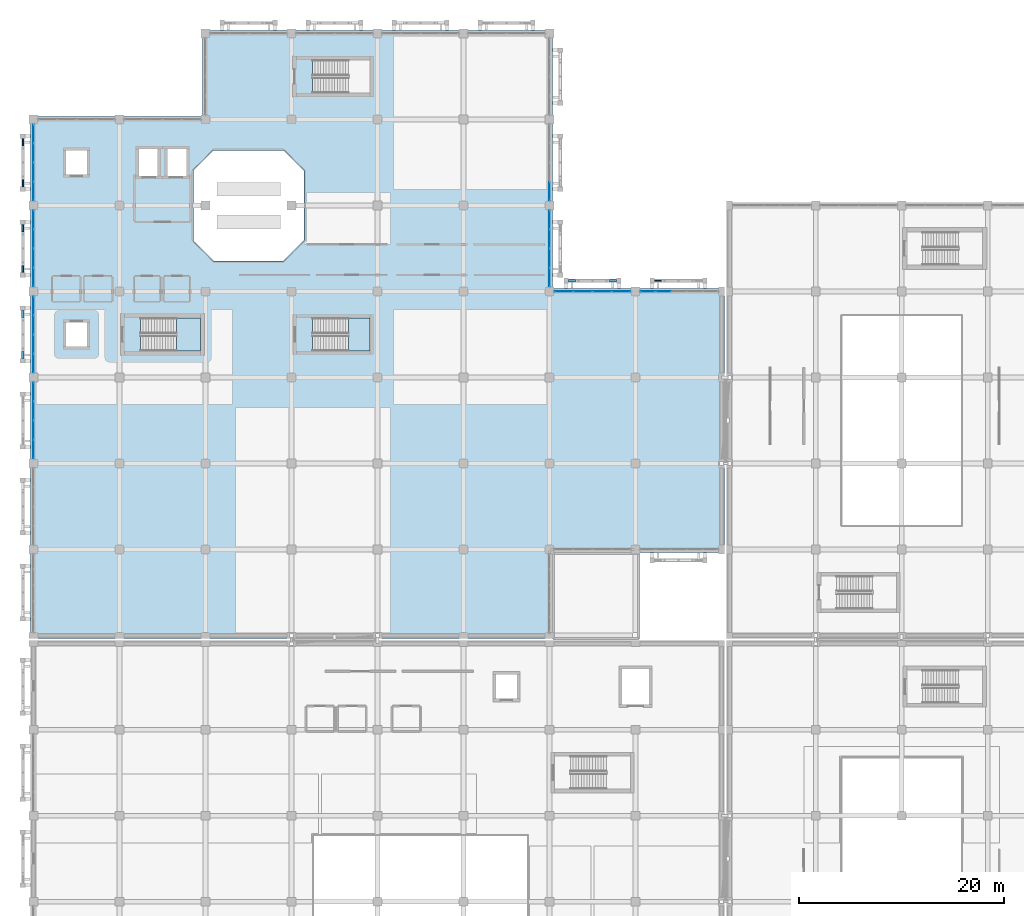
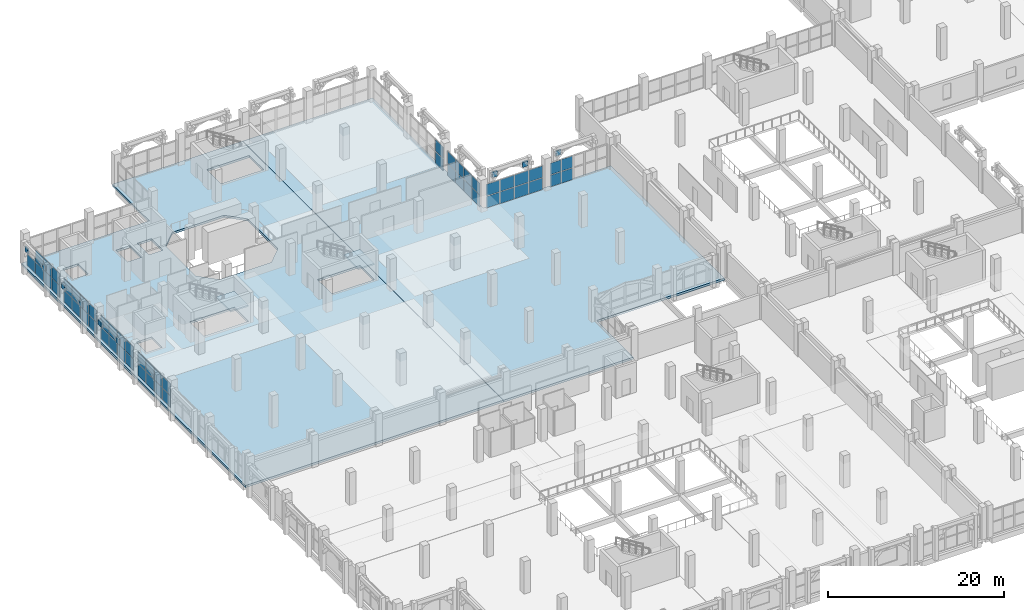
# One storey, part 101 of 137: 62 plates, 4 slabs, 10 elements without a shape of their own.
"""IFC4 building model written with IfcOpenShell, lengths in metres."""

from ifc_helpers import new_model, si_unit, direction, frame, origin, origin_2d, place, context, subcontext, project, spatial, polyline, rectangle, outline, extrude, material, layer, layer_set, type_object, element, aggregate, save


model = new_model("IFC4")

# Units and contexts
model_context = context("Model", 3, precision=1e-05, world=origin(), true_north=direction((0.0, 1.0)))
body_context = subcontext(model_context, "Body", "Model", "MODEL_VIEW")
ifc_project = project(units=[si_unit("LENGTHUNIT", "METRE"), si_unit("AREAUNIT", "SQUARE_METRE"), si_unit("VOLUMEUNIT", "CUBIC_METRE"), si_unit("PLANEANGLEUNIT", "RADIAN"), si_unit("MASSUNIT", "GRAM", prefix="KILO")], contexts=[model_context])

# Site, building, storey
site_placement = place(None, origin())
site = spatial("IfcSite", under=ifc_project, at=site_placement, CompositionType="ELEMENT")
building_placement = place(site_placement, origin())
building = spatial("IfcBuilding", under=site, at=building_placement, Name="Xazarin Passage Department Store", CompositionType="ELEMENT")
storey_placement = place(building_placement, frame((0.0, 0.0, 5.39990234375)))
storey = spatial("IfcBuildingStorey", under=building, at=storey_placement, Name="L01", CompositionType="ELEMENT", Elevation=5.39990234375)

# Curtain wall, plates
ifc_material_1 = material(Name="Bronze anodised aluminium", Category="aluminium")
ifc_layer_1 = layer(ifc_material_1, 0.179931640625)
ifc_layer_set_1 = layer_set([ifc_layer_1], Name="Bronze anodised aluminium")
curtain_wall_type = type_object("IfcCurtainWallType", Name="ARC-CW-VIT1", PredefinedType="NOTDEFINED", material=ifc_layer_set_1)
curtain_wall_1_placement = place(storey_placement, origin())
curtain_wall_1 = element("IfcCurtainWall", 1, at=curtain_wall_1_placement, inside=storey, type_object=curtain_wall_type, Name="L01 V1 Curtain Wall 010", PredefinedType="NOTDEFINED")
ifc_material_2 = material(Name="Low-E laminated safety glass", Category="glass")
ifc_layer_2 = layer(ifc_material_2, 0.031982421875)
ifc_layer_set_2 = layer_set([ifc_layer_2], Name="Low-E laminated safety glass")
plate_type_1 = type_object("IfcPlateType", Name="ARC-CWP-GLZ32", PredefinedType="CURTAIN_PANEL", material=ifc_layer_set_2)
plate_1_placement = place(storey_placement, frame((51.78759765625, 84.800048828125, 0.0751953125), z_axis=(0.0, 0.0, 1.0), x_axis=(1.0, 0.0, 0.0)))
plate_1 = element("IfcPlate", 2, at=plate_1_placement, type_object=plate_type_1, Name="CW1 panel 1.1", PredefinedType="CURTAIN_PANEL", context=body_context, shape_type="SweptSolid", body=[
    extrude(rectangle(XDim=1.77490234375, YDim=0.031982421875, at=origin_2d()), origin(), (0.0, 0.0, 1.0), 1.612548828125),
])
plate_2_placement = place(storey_placement, frame((51.78759765625, 84.800048828125, 1.7626953125), z_axis=(0.0, 0.0, 1.0), x_axis=(1.0, 0.0, 0.0)))
plate_2 = element("IfcPlate", 3, at=plate_2_placement, type_object=plate_type_1, Name="CW1 panel 1.2", PredefinedType="CURTAIN_PANEL", context=body_context, shape_type="SweptSolid", body=[
    extrude(rectangle(XDim=1.77490234375, YDim=0.031982421875, at=origin_2d()), origin(), (0.0, 0.0, 1.0), 1.612548828125),
])
plate_3_placement = place(storey_placement, frame((53.65625, 84.800048828125, 0.0751953125), z_axis=(0.0, 0.0, 1.0), x_axis=(1.0, 0.0, 0.0)))
plate_3 = element("IfcPlate", 4, at=plate_3_placement, type_object=plate_type_1, Name="CW1 panel 2.1", PredefinedType="CURTAIN_PANEL", context=body_context, shape_type="SweptSolid", body=[
    extrude(rectangle(XDim=1.8125, YDim=0.031982421875, at=origin_2d()), origin(), (0.0, 0.0, 1.0), 1.612548828125),
])
plate_4_placement = place(storey_placement, frame((53.65625, 84.800048828125, 1.7626953125), z_axis=(0.0, 0.0, 1.0), x_axis=(1.0, 0.0, 0.0)))
plate_4 = element("IfcPlate", 5, at=plate_4_placement, type_object=plate_type_1, Name="CW1 panel 2.2", PredefinedType="CURTAIN_PANEL", context=body_context, shape_type="SweptSolid", body=[
    extrude(rectangle(XDim=1.8125, YDim=0.031982421875, at=origin_2d()), origin(), (0.0, 0.0, 1.0), 1.612548828125),
])
plate_5_placement = place(storey_placement, frame((55.543701171875, 84.800048828125, 0.0751953125), z_axis=(0.0, 0.0, 1.0), x_axis=(1.0, 0.0, 0.0)))
plate_5 = element("IfcPlate", 6, at=plate_5_placement, type_object=plate_type_1, Name="CW1 panel 3.1", PredefinedType="CURTAIN_PANEL", context=body_context, shape_type="SweptSolid", body=[
    extrude(rectangle(XDim=1.8125, YDim=0.031982421875, at=origin_2d()), origin(), (0.0, 0.0, 1.0), 1.612548828125),
])
plate_6_placement = place(storey_placement, frame((55.543701171875, 84.800048828125, 1.7626953125), z_axis=(0.0, 0.0, 1.0), x_axis=(1.0, 0.0, 0.0)))
plate_6 = element("IfcPlate", 7, at=plate_6_placement, type_object=plate_type_1, Name="CW1 panel 3.2", PredefinedType="CURTAIN_PANEL", context=body_context, shape_type="SweptSolid", body=[
    extrude(rectangle(XDim=1.8125, YDim=0.031982421875, at=origin_2d()), origin(), (0.0, 0.0, 1.0), 1.612548828125),
])
plate_7_placement = place(storey_placement, frame((57.41259765625, 84.800048828125, 0.0751953125), z_axis=(0.0, 0.0, 1.0), x_axis=(1.0, 0.0, 0.0)))
plate_7 = element("IfcPlate", 8, at=plate_7_placement, type_object=plate_type_1, Name="CW1 panel 4.1", PredefinedType="CURTAIN_PANEL", context=body_context, shape_type="SweptSolid", body=[
    extrude(rectangle(XDim=1.77490234375, YDim=0.031982421875, at=origin_2d()), origin(), (0.0, 0.0, 1.0), 1.612548828125),
])
plate_8_placement = place(storey_placement, frame((57.41259765625, 84.800048828125, 1.7626953125), z_axis=(0.0, 0.0, 1.0), x_axis=(1.0, 0.0, 0.0)))
plate_8 = element("IfcPlate", 9, at=plate_8_placement, type_object=plate_type_1, Name="CW1 panel 4.2", PredefinedType="CURTAIN_PANEL", context=body_context, shape_type="SweptSolid", body=[
    extrude(rectangle(XDim=1.77490234375, YDim=0.031982421875, at=origin_2d()), origin(), (0.0, 0.0, 1.0), 1.612548828125),
])
aggregate(curtain_wall_1, [plate_1, plate_2, plate_3, plate_4, plate_5, plate_6, plate_7, plate_8])

curtain_wall_2_placement = place(storey_placement, origin())
curtain_wall_2 = element("IfcCurtainWall", 10, at=curtain_wall_2_placement, inside=storey, type_object=curtain_wall_type, Name="L01 V1 Curtain Wall 011", PredefinedType="NOTDEFINED")
plate_9_placement = place(storey_placement, frame((60.01123046875, 84.800048828125, 0.0751953125), z_axis=(0.0, 0.0, 1.0), x_axis=(1.0, 0.0, 0.0)))
plate_9 = element("IfcPlate", 11, at=plate_9_placement, type_object=plate_type_1, Name="CW1 panel 1.1", PredefinedType="CURTAIN_PANEL", context=body_context, shape_type="SweptSolid", body=[
    extrude(rectangle(XDim=1.422607421875, YDim=0.031982421875, at=origin_2d()), origin(), (0.0, 0.0, 1.0), 1.612548828125),
])
plate_10_placement = place(storey_placement, frame((60.01123046875, 84.800048828125, 1.7626953125), z_axis=(0.0, 0.0, 1.0), x_axis=(1.0, 0.0, 0.0)))
plate_10 = element("IfcPlate", 12, at=plate_10_placement, type_object=plate_type_1, Name="CW1 panel 1.2", PredefinedType="CURTAIN_PANEL", context=body_context, shape_type="SweptSolid", body=[
    extrude(rectangle(XDim=1.422607421875, YDim=0.031982421875, at=origin_2d()), origin(), (0.0, 0.0, 1.0), 1.612548828125),
])
plate_11_placement = place(storey_placement, frame((61.527587890625, 84.800048828125, 0.0751953125), z_axis=(0.0, 0.0, 1.0), x_axis=(1.0, 0.0, 0.0)))
plate_11 = element("IfcPlate", 13, at=plate_11_placement, type_object=plate_type_1, Name="CW1 panel 2.1", PredefinedType="CURTAIN_PANEL", context=body_context, shape_type="SweptSolid", body=[
    extrude(rectangle(XDim=1.4599609375, YDim=0.031982421875, at=origin_2d()), origin(), (0.0, 0.0, 1.0), 1.612548828125),
])
plate_12_placement = place(storey_placement, frame((61.527587890625, 84.800048828125, 1.7626953125), z_axis=(0.0, 0.0, 1.0), x_axis=(1.0, 0.0, 0.0)))
plate_12 = element("IfcPlate", 14, at=plate_12_placement, type_object=plate_type_1, Name="CW1 panel 2.2", PredefinedType="CURTAIN_PANEL", context=body_context, shape_type="SweptSolid", body=[
    extrude(rectangle(XDim=1.4599609375, YDim=0.031982421875, at=origin_2d()), origin(), (0.0, 0.0, 1.0), 1.612548828125),
])
aggregate(curtain_wall_2, [plate_9, plate_10, plate_11, plate_12])

curtain_wall_3_placement = place(storey_placement, origin())
curtain_wall_3 = element("IfcCurtainWall", 15, at=curtain_wall_3_placement, inside=storey, type_object=curtain_wall_type, Name="L01 V1 Curtain Wall 020", PredefinedType="NOTDEFINED")
plate_13_placement = place(storey_placement, frame((0.0, 69.387451171875, 0.0751953125), z_axis=(0.0, 0.0, 1.0), x_axis=(0.0, 1.0, 0.0)))
plate_13 = element("IfcPlate", 16, at=plate_13_placement, type_object=plate_type_1, Name="CW1 panel 1.1", PredefinedType="CURTAIN_PANEL", context=body_context, shape_type="SweptSolid", body=[
    extrude(rectangle(XDim=1.77490234375, YDim=0.031982421875, at=origin_2d()), origin(), (0.0, 0.0, 1.0), 1.612548828125),
])
plate_14_placement = place(storey_placement, frame((0.0, 69.387451171875, 1.7626953125), z_axis=(0.0, 0.0, 1.0), x_axis=(0.0, 1.0, 0.0)))
plate_14 = element("IfcPlate", 17, at=plate_14_placement, type_object=plate_type_1, Name="CW1 panel 1.2", PredefinedType="CURTAIN_PANEL", context=body_context, shape_type="SweptSolid", body=[
    extrude(rectangle(XDim=1.77490234375, YDim=0.031982421875, at=origin_2d()), origin(), (0.0, 0.0, 1.0), 1.612548828125),
])
plate_15_placement = place(storey_placement, frame((0.0, 71.25634765625, 0.0751953125), z_axis=(0.0, 0.0, 1.0), x_axis=(0.0, 1.0, 0.0)))
plate_15 = element("IfcPlate", 18, at=plate_15_placement, type_object=plate_type_1, Name="CW1 panel 2.1", PredefinedType="CURTAIN_PANEL", context=body_context, shape_type="SweptSolid", body=[
    extrude(rectangle(XDim=1.8125, YDim=0.031982421875, at=origin_2d()), origin(), (0.0, 0.0, 1.0), 1.612548828125),
])
plate_16_placement = place(storey_placement, frame((0.0, 71.25634765625, 1.7626953125), z_axis=(0.0, 0.0, 1.0), x_axis=(0.0, 1.0, 0.0)))
plate_16 = element("IfcPlate", 19, at=plate_16_placement, type_object=plate_type_1, Name="CW1 panel 2.2", PredefinedType="CURTAIN_PANEL", context=body_context, shape_type="SweptSolid", body=[
    extrude(rectangle(XDim=1.8125, YDim=0.031982421875, at=origin_2d()), origin(), (0.0, 0.0, 1.0), 1.612548828125),
])
plate_17_placement = place(storey_placement, frame((0.0, 73.143798828125, 0.0751953125), z_axis=(0.0, 0.0, 1.0), x_axis=(0.0, 1.0, 0.0)))
plate_17 = element("IfcPlate", 20, at=plate_17_placement, type_object=plate_type_1, Name="CW1 panel 3.1", PredefinedType="CURTAIN_PANEL", context=body_context, shape_type="SweptSolid", body=[
    extrude(rectangle(XDim=1.8125, YDim=0.031982421875, at=origin_2d()), origin(), (0.0, 0.0, 1.0), 1.612548828125),
])
plate_18_placement = place(storey_placement, frame((0.0, 73.143798828125, 1.7626953125), z_axis=(0.0, 0.0, 1.0), x_axis=(0.0, 1.0, 0.0)))
plate_18 = element("IfcPlate", 21, at=plate_18_placement, type_object=plate_type_1, Name="CW1 panel 3.2", PredefinedType="CURTAIN_PANEL", context=body_context, shape_type="SweptSolid", body=[
    extrude(rectangle(XDim=1.8125, YDim=0.031982421875, at=origin_2d()), origin(), (0.0, 0.0, 1.0), 1.612548828125),
])
plate_19_placement = place(storey_placement, frame((0.0, 75.012451171875, 0.0751953125), z_axis=(0.0, 0.0, 1.0), x_axis=(0.0, 1.0, 0.0)))
plate_19 = element("IfcPlate", 22, at=plate_19_placement, type_object=plate_type_1, Name="CW1 panel 4.1", PredefinedType="CURTAIN_PANEL", context=body_context, shape_type="SweptSolid", body=[
    extrude(rectangle(XDim=1.77490234375, YDim=0.031982421875, at=origin_2d()), origin(), (0.0, 0.0, 1.0), 1.612548828125),
])
plate_20_placement = place(storey_placement, frame((0.0, 75.012451171875, 1.7626953125), z_axis=(0.0, 0.0, 1.0), x_axis=(0.0, 1.0, 0.0)))
plate_20 = element("IfcPlate", 23, at=plate_20_placement, type_object=plate_type_1, Name="CW1 panel 4.2", PredefinedType="CURTAIN_PANEL", context=body_context, shape_type="SweptSolid", body=[
    extrude(rectangle(XDim=1.77490234375, YDim=0.031982421875, at=origin_2d()), origin(), (0.0, 0.0, 1.0), 1.612548828125),
])
aggregate(curtain_wall_3, [plate_13, plate_14, plate_15, plate_16, plate_17, plate_18, plate_19, plate_20])

curtain_wall_4_placement = place(storey_placement, origin())
curtain_wall_4 = element("IfcCurtainWall", 24, at=curtain_wall_4_placement, inside=storey, type_object=curtain_wall_type, Name="L01 V1 Curtain Wall 021", PredefinedType="NOTDEFINED")
plate_21_placement = place(storey_placement, frame((0.0, 77.78759765625, 0.0751953125), z_axis=(0.0, 0.0, 1.0), x_axis=(0.0, 1.0, 0.0)))
plate_21 = element("IfcPlate", 25, at=plate_21_placement, type_object=plate_type_1, Name="CW1 panel 1.1", PredefinedType="CURTAIN_PANEL", context=body_context, shape_type="SweptSolid", body=[
    extrude(rectangle(XDim=1.77490234375, YDim=0.031982421875, at=origin_2d()), origin(), (0.0, 0.0, 1.0), 1.612548828125),
])
plate_22_placement = place(storey_placement, frame((0.0, 77.78759765625, 1.7626953125), z_axis=(0.0, 0.0, 1.0), x_axis=(0.0, 1.0, 0.0)))
plate_22 = element("IfcPlate", 26, at=plate_22_placement, type_object=plate_type_1, Name="CW1 panel 1.2", PredefinedType="CURTAIN_PANEL", context=body_context, shape_type="SweptSolid", body=[
    extrude(rectangle(XDim=1.77490234375, YDim=0.031982421875, at=origin_2d()), origin(), (0.0, 0.0, 1.0), 1.612548828125),
])
plate_23_placement = place(storey_placement, frame((0.0, 79.65625, 0.0751953125), z_axis=(0.0, 0.0, 1.0), x_axis=(0.0, 1.0, 0.0)))
plate_23 = element("IfcPlate", 27, at=plate_23_placement, type_object=plate_type_1, Name="CW1 panel 2.1", PredefinedType="CURTAIN_PANEL", context=body_context, shape_type="SweptSolid", body=[
    extrude(rectangle(XDim=1.8125, YDim=0.031982421875, at=origin_2d()), origin(), (0.0, 0.0, 1.0), 1.612548828125),
])
plate_24_placement = place(storey_placement, frame((0.0, 79.65625, 1.7626953125), z_axis=(0.0, 0.0, 1.0), x_axis=(0.0, 1.0, 0.0)))
plate_24 = element("IfcPlate", 28, at=plate_24_placement, type_object=plate_type_1, Name="CW1 panel 2.2", PredefinedType="CURTAIN_PANEL", context=body_context, shape_type="SweptSolid", body=[
    extrude(rectangle(XDim=1.8125, YDim=0.031982421875, at=origin_2d()), origin(), (0.0, 0.0, 1.0), 1.612548828125),
])
plate_25_placement = place(storey_placement, frame((0.0, 81.543701171875, 0.0751953125), z_axis=(0.0, 0.0, 1.0), x_axis=(0.0, 1.0, 0.0)))
plate_25 = element("IfcPlate", 29, at=plate_25_placement, type_object=plate_type_1, Name="CW1 panel 3.1", PredefinedType="CURTAIN_PANEL", context=body_context, shape_type="SweptSolid", body=[
    extrude(rectangle(XDim=1.8125, YDim=0.031982421875, at=origin_2d()), origin(), (0.0, 0.0, 1.0), 1.612548828125),
])
plate_26_placement = place(storey_placement, frame((0.0, 81.543701171875, 1.7626953125), z_axis=(0.0, 0.0, 1.0), x_axis=(0.0, 1.0, 0.0)))
plate_26 = element("IfcPlate", 30, at=plate_26_placement, type_object=plate_type_1, Name="CW1 panel 3.2", PredefinedType="CURTAIN_PANEL", context=body_context, shape_type="SweptSolid", body=[
    extrude(rectangle(XDim=1.8125, YDim=0.031982421875, at=origin_2d()), origin(), (0.0, 0.0, 1.0), 1.612548828125),
])
plate_27_placement = place(storey_placement, frame((0.0, 83.41259765625, 0.0751953125), z_axis=(0.0, 0.0, 1.0), x_axis=(0.0, 1.0, 0.0)))
plate_27 = element("IfcPlate", 31, at=plate_27_placement, type_object=plate_type_1, Name="CW1 panel 4.1", PredefinedType="CURTAIN_PANEL", context=body_context, shape_type="SweptSolid", body=[
    extrude(rectangle(XDim=1.77490234375, YDim=0.031982421875, at=origin_2d()), origin(), (0.0, 0.0, 1.0), 1.612548828125),
])
plate_28_placement = place(storey_placement, frame((0.0, 83.41259765625, 1.7626953125), z_axis=(0.0, 0.0, 1.0), x_axis=(0.0, 1.0, 0.0)))
plate_28 = element("IfcPlate", 32, at=plate_28_placement, type_object=plate_type_1, Name="CW1 panel 4.2", PredefinedType="CURTAIN_PANEL", context=body_context, shape_type="SweptSolid", body=[
    extrude(rectangle(XDim=1.77490234375, YDim=0.031982421875, at=origin_2d()), origin(), (0.0, 0.0, 1.0), 1.612548828125),
])
aggregate(curtain_wall_4, [plate_21, plate_22, plate_23, plate_24, plate_25, plate_26, plate_27, plate_28])

curtain_wall_5_placement = place(storey_placement, origin())
curtain_wall_5 = element("IfcCurtainWall", 33, at=curtain_wall_5_placement, inside=storey, type_object=curtain_wall_type, Name="L01 V1 Curtain Wall 022", PredefinedType="NOTDEFINED")
plate_29_placement = place(storey_placement, frame((0.0, 86.1875, 0.0751953125), z_axis=(0.0, 0.0, 1.0), x_axis=(0.0, 1.0, 0.0)))
plate_29 = element("IfcPlate", 34, at=plate_29_placement, type_object=plate_type_1, Name="CW1 panel 1.1", PredefinedType="CURTAIN_PANEL", context=body_context, shape_type="SweptSolid", body=[
    extrude(rectangle(XDim=1.77490234375, YDim=0.031982421875, at=origin_2d()), origin(), (0.0, 0.0, 1.0), 1.612548828125),
])
plate_30_placement = place(storey_placement, frame((0.0, 86.1875, 1.7626953125), z_axis=(0.0, 0.0, 1.0), x_axis=(0.0, 1.0, 0.0)))
plate_30 = element("IfcPlate", 35, at=plate_30_placement, type_object=plate_type_1, Name="CW1 panel 1.2", PredefinedType="CURTAIN_PANEL", context=body_context, shape_type="SweptSolid", body=[
    extrude(rectangle(XDim=1.77490234375, YDim=0.031982421875, at=origin_2d()), origin(), (0.0, 0.0, 1.0), 1.612548828125),
])
plate_31_placement = place(storey_placement, frame((0.0, 88.05615234375, 0.0751953125), z_axis=(0.0, 0.0, 1.0), x_axis=(0.0, 1.0, 0.0)))
plate_31 = element("IfcPlate", 36, at=plate_31_placement, type_object=plate_type_1, Name="CW1 panel 2.1", PredefinedType="CURTAIN_PANEL", context=body_context, shape_type="SweptSolid", body=[
    extrude(rectangle(XDim=1.8125, YDim=0.031982421875, at=origin_2d()), origin(), (0.0, 0.0, 1.0), 1.612548828125),
])
plate_32_placement = place(storey_placement, frame((0.0, 88.05615234375, 1.7626953125), z_axis=(0.0, 0.0, 1.0), x_axis=(0.0, 1.0, 0.0)))
plate_32 = element("IfcPlate", 37, at=plate_32_placement, type_object=plate_type_1, Name="CW1 panel 2.2", PredefinedType="CURTAIN_PANEL", context=body_context, shape_type="SweptSolid", body=[
    extrude(rectangle(XDim=1.8125, YDim=0.031982421875, at=origin_2d()), origin(), (0.0, 0.0, 1.0), 1.612548828125),
])
plate_33_placement = place(storey_placement, frame((0.0, 89.94384765625, 0.0751953125), z_axis=(0.0, 0.0, 1.0), x_axis=(0.0, 1.0, 0.0)))
plate_33 = element("IfcPlate", 38, at=plate_33_placement, type_object=plate_type_1, Name="CW1 panel 3.1", PredefinedType="CURTAIN_PANEL", context=body_context, shape_type="SweptSolid", body=[
    extrude(rectangle(XDim=1.8125, YDim=0.031982421875, at=origin_2d()), origin(), (0.0, 0.0, 1.0), 1.612548828125),
])
plate_34_placement = place(storey_placement, frame((0.0, 89.94384765625, 1.7626953125), z_axis=(0.0, 0.0, 1.0), x_axis=(0.0, 1.0, 0.0)))
plate_34 = element("IfcPlate", 39, at=plate_34_placement, type_object=plate_type_1, Name="CW1 panel 3.2", PredefinedType="CURTAIN_PANEL", context=body_context, shape_type="SweptSolid", body=[
    extrude(rectangle(XDim=1.8125, YDim=0.031982421875, at=origin_2d()), origin(), (0.0, 0.0, 1.0), 1.612548828125),
])
plate_35_placement = place(storey_placement, frame((0.0, 91.8125, 0.0751953125), z_axis=(0.0, 0.0, 1.0), x_axis=(0.0, 1.0, 0.0)))
plate_35 = element("IfcPlate", 40, at=plate_35_placement, type_object=plate_type_1, Name="CW1 panel 4.1", PredefinedType="CURTAIN_PANEL", context=body_context, shape_type="SweptSolid", body=[
    extrude(rectangle(XDim=1.77490234375, YDim=0.031982421875, at=origin_2d()), origin(), (0.0, 0.0, 1.0), 1.612548828125),
])
plate_36_placement = place(storey_placement, frame((0.0, 91.8125, 1.7626953125), z_axis=(0.0, 0.0, 1.0), x_axis=(0.0, 1.0, 0.0)))
plate_36 = element("IfcPlate", 41, at=plate_36_placement, type_object=plate_type_1, Name="CW1 panel 4.2", PredefinedType="CURTAIN_PANEL", context=body_context, shape_type="SweptSolid", body=[
    extrude(rectangle(XDim=1.77490234375, YDim=0.031982421875, at=origin_2d()), origin(), (0.0, 0.0, 1.0), 1.612548828125),
])
aggregate(curtain_wall_5, [plate_29, plate_30, plate_31, plate_32, plate_33, plate_34, plate_35, plate_36])

curtain_wall_6_placement = place(storey_placement, origin())
curtain_wall_6 = element("IfcCurtainWall", 42, at=curtain_wall_6_placement, inside=storey, type_object=curtain_wall_type, Name="L01 V1 Curtain Wall 023", PredefinedType="NOTDEFINED")
plate_37_placement = place(storey_placement, frame((0.0, 94.58740234375, 0.0751953125), z_axis=(0.0, 0.0, 1.0), x_axis=(0.0, 1.0, 0.0)))
plate_37 = element("IfcPlate", 43, at=plate_37_placement, type_object=plate_type_1, Name="CW1 panel 1.1", PredefinedType="CURTAIN_PANEL", context=body_context, shape_type="SweptSolid", body=[
    extrude(rectangle(XDim=1.77490234375, YDim=0.031982421875, at=origin_2d()), origin(), (0.0, 0.0, 1.0), 1.612548828125),
])
plate_38_placement = place(storey_placement, frame((0.0, 94.58740234375, 1.7626953125), z_axis=(0.0, 0.0, 1.0), x_axis=(0.0, 1.0, 0.0)))
plate_38 = element("IfcPlate", 44, at=plate_38_placement, type_object=plate_type_1, Name="CW1 panel 1.2", PredefinedType="CURTAIN_PANEL", context=body_context, shape_type="SweptSolid", body=[
    extrude(rectangle(XDim=1.77490234375, YDim=0.031982421875, at=origin_2d()), origin(), (0.0, 0.0, 1.0), 1.612548828125),
])
plate_39_placement = place(storey_placement, frame((0.0, 96.456298828125, 0.0751953125), z_axis=(0.0, 0.0, 1.0), x_axis=(0.0, 1.0, 0.0)))
plate_39 = element("IfcPlate", 45, at=plate_39_placement, type_object=plate_type_1, Name="CW1 panel 2.1", PredefinedType="CURTAIN_PANEL", context=body_context, shape_type="SweptSolid", body=[
    extrude(rectangle(XDim=1.8125, YDim=0.031982421875, at=origin_2d()), origin(), (0.0, 0.0, 1.0), 1.612548828125),
])
plate_40_placement = place(storey_placement, frame((0.0, 96.456298828125, 1.7626953125), z_axis=(0.0, 0.0, 1.0), x_axis=(0.0, 1.0, 0.0)))
plate_40 = element("IfcPlate", 46, at=plate_40_placement, type_object=plate_type_1, Name="CW1 panel 2.2", PredefinedType="CURTAIN_PANEL", context=body_context, shape_type="SweptSolid", body=[
    extrude(rectangle(XDim=1.8125, YDim=0.031982421875, at=origin_2d()), origin(), (0.0, 0.0, 1.0), 1.612548828125),
])
plate_41_placement = place(storey_placement, frame((0.0, 98.34375, 0.0751953125), z_axis=(0.0, 0.0, 1.0), x_axis=(0.0, 1.0, 0.0)))
plate_41 = element("IfcPlate", 47, at=plate_41_placement, type_object=plate_type_1, Name="CW1 panel 3.1", PredefinedType="CURTAIN_PANEL", context=body_context, shape_type="SweptSolid", body=[
    extrude(rectangle(XDim=1.8125, YDim=0.031982421875, at=origin_2d()), origin(), (0.0, 0.0, 1.0), 1.612548828125),
])
plate_42_placement = place(storey_placement, frame((0.0, 98.34375, 1.7626953125), z_axis=(0.0, 0.0, 1.0), x_axis=(0.0, 1.0, 0.0)))
plate_42 = element("IfcPlate", 48, at=plate_42_placement, type_object=plate_type_1, Name="CW1 panel 3.2", PredefinedType="CURTAIN_PANEL", context=body_context, shape_type="SweptSolid", body=[
    extrude(rectangle(XDim=1.8125, YDim=0.031982421875, at=origin_2d()), origin(), (0.0, 0.0, 1.0), 1.612548828125),
])
plate_43_placement = place(storey_placement, frame((0.0, 100.21240234375, 0.0751953125), z_axis=(0.0, 0.0, 1.0), x_axis=(0.0, 1.0, 0.0)))
plate_43 = element("IfcPlate", 49, at=plate_43_placement, type_object=plate_type_1, Name="CW1 panel 4.1", PredefinedType="CURTAIN_PANEL", context=body_context, shape_type="SweptSolid", body=[
    extrude(rectangle(XDim=1.77490234375, YDim=0.031982421875, at=origin_2d()), origin(), (0.0, 0.0, 1.0), 1.612548828125),
])
aggregate(curtain_wall_6, [plate_37, plate_38, plate_39, plate_40, plate_41, plate_42, plate_43])

curtain_wall_7_placement = place(storey_placement, origin())
curtain_wall_7 = element("IfcCurtainWall", 50, at=curtain_wall_7_placement, inside=storey, type_object=curtain_wall_type, Name="L01 V1 Curtain Wall 026", PredefinedType="NOTDEFINED")
plate_44_placement = place(storey_placement, frame((50.39990234375, 86.1875, 0.0751953125), z_axis=(0.0, 0.0, 1.0), x_axis=(0.0, 1.0, 0.0)))
plate_44 = element("IfcPlate", 51, at=plate_44_placement, type_object=plate_type_1, Name="CW1 panel 1.1", PredefinedType="CURTAIN_PANEL", context=body_context, shape_type="SweptSolid", body=[
    extrude(rectangle(XDim=1.77490234375, YDim=0.031982421875, at=origin_2d()), origin(), (0.0, 0.0, 1.0), 1.612548828125),
])
plate_45_placement = place(storey_placement, frame((50.39990234375, 86.1875, 1.7626953125), z_axis=(0.0, 0.0, 1.0), x_axis=(0.0, 1.0, 0.0)))
plate_45 = element("IfcPlate", 52, at=plate_45_placement, type_object=plate_type_1, Name="CW1 panel 1.2", PredefinedType="CURTAIN_PANEL", context=body_context, shape_type="SweptSolid", body=[
    extrude(rectangle(XDim=1.77490234375, YDim=0.031982421875, at=origin_2d()), origin(), (0.0, 0.0, 1.0), 1.612548828125),
])
plate_46_placement = place(storey_placement, frame((50.39990234375, 88.05615234375, 0.0751953125), z_axis=(0.0, 0.0, 1.0), x_axis=(0.0, 1.0, 0.0)))
plate_46 = element("IfcPlate", 53, at=plate_46_placement, type_object=plate_type_1, Name="CW1 panel 2.1", PredefinedType="CURTAIN_PANEL", context=body_context, shape_type="SweptSolid", body=[
    extrude(rectangle(XDim=1.8125, YDim=0.031982421875, at=origin_2d()), origin(), (0.0, 0.0, 1.0), 1.612548828125),
])
plate_47_placement = place(storey_placement, frame((50.39990234375, 88.05615234375, 1.7626953125), z_axis=(0.0, 0.0, 1.0), x_axis=(0.0, 1.0, 0.0)))
plate_47 = element("IfcPlate", 54, at=plate_47_placement, type_object=plate_type_1, Name="CW1 panel 2.2", PredefinedType="CURTAIN_PANEL", context=body_context, shape_type="SweptSolid", body=[
    extrude(rectangle(XDim=1.8125, YDim=0.031982421875, at=origin_2d()), origin(), (0.0, 0.0, 1.0), 1.612548828125),
])
plate_48_placement = place(storey_placement, frame((50.39990234375, 89.94384765625, 0.0751953125), z_axis=(0.0, 0.0, 1.0), x_axis=(0.0, 1.0, 0.0)))
plate_48 = element("IfcPlate", 55, at=plate_48_placement, type_object=plate_type_1, Name="CW1 panel 3.1", PredefinedType="CURTAIN_PANEL", context=body_context, shape_type="SweptSolid", body=[
    extrude(rectangle(XDim=1.8125, YDim=0.031982421875, at=origin_2d()), origin(), (0.0, 0.0, 1.0), 1.612548828125),
])
plate_49_placement = place(storey_placement, frame((50.39990234375, 89.94384765625, 1.7626953125), z_axis=(0.0, 0.0, 1.0), x_axis=(0.0, 1.0, 0.0)))
plate_49 = element("IfcPlate", 56, at=plate_49_placement, type_object=plate_type_1, Name="CW1 panel 3.2", PredefinedType="CURTAIN_PANEL", context=body_context, shape_type="SweptSolid", body=[
    extrude(rectangle(XDim=1.8125, YDim=0.031982421875, at=origin_2d()), origin(), (0.0, 0.0, 1.0), 1.612548828125),
])
plate_50_placement = place(storey_placement, frame((50.39990234375, 91.8125, 0.0751953125), z_axis=(0.0, 0.0, 1.0), x_axis=(0.0, 1.0, 0.0)))
plate_50 = element("IfcPlate", 57, at=plate_50_placement, type_object=plate_type_1, Name="CW1 panel 4.1", PredefinedType="CURTAIN_PANEL", context=body_context, shape_type="SweptSolid", body=[
    extrude(rectangle(XDim=1.77490234375, YDim=0.031982421875, at=origin_2d()), origin(), (0.0, 0.0, 1.0), 1.612548828125),
])
plate_51_placement = place(storey_placement, frame((50.39990234375, 91.8125, 1.7626953125), z_axis=(0.0, 0.0, 1.0), x_axis=(0.0, 1.0, 0.0)))
plate_51 = element("IfcPlate", 58, at=plate_51_placement, type_object=plate_type_1, Name="CW1 panel 4.2", PredefinedType="CURTAIN_PANEL", context=body_context, shape_type="SweptSolid", body=[
    extrude(rectangle(XDim=1.77490234375, YDim=0.031982421875, at=origin_2d()), origin(), (0.0, 0.0, 1.0), 1.612548828125),
])
aggregate(curtain_wall_7, [plate_44, plate_45, plate_46, plate_47, plate_48, plate_49, plate_50, plate_51])

curtain_wall_8_placement = place(storey_placement, origin())
curtain_wall_8 = element("IfcCurtainWall", 59, at=curtain_wall_8_placement, inside=storey, type_object=curtain_wall_type, Name="L01 V1 Curtain Wall 027", PredefinedType="NOTDEFINED")
plate_52_placement = place(storey_placement, frame((50.39990234375, 94.58740234375, 0.0751953125), z_axis=(0.0, 0.0, 1.0), x_axis=(0.0, 1.0, 0.0)))
plate_52 = element("IfcPlate", 60, at=plate_52_placement, type_object=plate_type_1, Name="CW1 panel 1.1", PredefinedType="CURTAIN_PANEL", context=body_context, shape_type="SweptSolid", body=[
    extrude(rectangle(XDim=1.77490234375, YDim=0.031982421875, at=origin_2d()), origin(), (0.0, 0.0, 1.0), 1.612548828125),
])
plate_53_placement = place(storey_placement, frame((50.39990234375, 94.58740234375, 1.7626953125), z_axis=(0.0, 0.0, 1.0), x_axis=(0.0, 1.0, 0.0)))
plate_53 = element("IfcPlate", 61, at=plate_53_placement, type_object=plate_type_1, Name="CW1 panel 1.2", PredefinedType="CURTAIN_PANEL", context=body_context, shape_type="SweptSolid", body=[
    extrude(rectangle(XDim=1.77490234375, YDim=0.031982421875, at=origin_2d()), origin(), (0.0, 0.0, 1.0), 1.612548828125),
])
aggregate(curtain_wall_8, [plate_52, plate_53])

# Plates
ifc_material_3 = material(Name="Precast concrete C40/50", Category="concrete")
ifc_layer_3 = layer(ifc_material_3, 0.139892578125)
ifc_layer_set_3 = layer_set([ifc_layer_3], Name="Precast concrete C40/50")
plate_type_2 = type_object("IfcPlateType", Name="ARC-PLT-SCR-07", PredefinedType="USERDEFINED", material=ifc_layer_set_3)
for number, where, z_axis, x_axis, name in (
    (62, (61.0, 85.85009765625, 3.26025390625), (0.0, 0.0, 1.0), (1.0, 0.0, 0.0), "L01 V1 Arch Spandrel Tympanum 0067"),
    (63, (-1.050048828125, 95.39990234375, 3.26025390625), (0.0, 0.0, 1.0), (0.0, 1.0, 0.0), "L01 V1 Arch Spandrel Tympanum 0127"),
    (64, (-1.050048828125, 99.39990234375, 3.26025390625), (0.0, 0.0, 1.0), (0.0, 1.0, 0.0), "L01 V1 Arch Spandrel Tympanum 0128"),
):
    element("IfcPlate", number, at=place(storey_placement, frame(where, z_axis=z_axis, x_axis=x_axis)), inside=storey, type_object=plate_type_2, Name=name, ObjectType="SCREEN PANEL", PredefinedType="USERDEFINED", context=body_context, shape_type="SweptSolid", body=[
        extrude(rectangle(XDim=0.679931640625, YDim=0.139892578125, at=origin_2d()), origin(), (0.0, 0.0, 1.0), 0.719970703125),
    ])
ifc_layer_4 = layer(ifc_material_3, 0.179931640625)
ifc_layer_set_4 = layer_set([ifc_layer_4], Name="Precast concrete C40/50")
plate_type_3 = type_object("IfcPlateType", Name="ARC-PLT-SCR-11", PredefinedType="USERDEFINED", material=ifc_layer_set_4)
for number, where, z_axis, x_axis, name in (
    (65, (-1.050048828125, 87.0, 3.26025390625), (0.0, 0.0, 1.0), (0.0, 1.0, 0.0), "L01 V1 Arch Spandrel Tympanum 0111"),
    (66, (-1.050048828125, 91.0, 3.26025390625), (0.0, 0.0, 1.0), (0.0, 1.0, 0.0), "L01 V1 Arch Spandrel Tympanum 0112"),
):
    element("IfcPlate", number, at=place(storey_placement, frame(where, z_axis=z_axis, x_axis=x_axis)), inside=storey, type_object=plate_type_3, Name=name, ObjectType="SCREEN PANEL", PredefinedType="USERDEFINED", context=body_context, shape_type="SweptSolid", body=[
        extrude(rectangle(XDim=0.679931640625, YDim=0.179931640625, at=origin_2d()), origin(), (0.0, 0.0, 1.0), 0.719970703125),
    ])
ifc_layer_5 = layer(ifc_material_3, 0.219970703125)
ifc_layer_set_5 = layer_set([ifc_layer_5], Name="Precast concrete C40/50")
plate_type_4 = type_object("IfcPlateType", Name="ARC-PLT-SCR-15", PredefinedType="USERDEFINED", material=ifc_layer_set_5)
for number, where, z_axis, x_axis, name in (
    (67, (52.60009765625, 85.85009765625, 3.26025390625), (0.0, 0.0, 1.0), (1.0, 0.0, 0.0), "L01 V1 Arch Spandrel Tympanum 0055"),
    (68, (56.60009765625, 85.85009765625, 3.26025390625), (0.0, 0.0, 1.0), (1.0, 0.0, 0.0), "L01 V1 Arch Spandrel Tympanum 0056"),
    (69, (-1.050048828125, 78.60009765625, 3.26025390625), (0.0, 0.0, 1.0), (0.0, 1.0, 0.0), "L01 V1 Arch Spandrel Tympanum 0095"),
    (70, (-1.050048828125, 82.60009765625, 3.26025390625), (0.0, 0.0, 1.0), (0.0, 1.0, 0.0), "L01 V1 Arch Spandrel Tympanum 0096"),
):
    element("IfcPlate", number, at=place(storey_placement, frame(where, z_axis=z_axis, x_axis=x_axis)), inside=storey, type_object=plate_type_4, Name=name, ObjectType="SCREEN PANEL", PredefinedType="USERDEFINED", context=body_context, shape_type="SweptSolid", body=[
        extrude(rectangle(XDim=0.679931640625, YDim=0.219970703125, at=origin_2d()), origin(), (0.0, 0.0, 1.0), 0.719970703125),
    ])

# Slabs
ifc_material_4 = material(Name="Concrete C35/45", Category="concrete")
ifc_layer_6 = layer(ifc_material_4, 0.300048828125)
ifc_layer_set_6 = layer_set([ifc_layer_6], Name="Concrete C35/45")
slab_type_1 = type_object("IfcSlabType", Name="STR-SLB-FLR300", PredefinedType="FLOOR", material=ifc_layer_set_6)
slab_1_placement = place(storey_placement, frame((0.0, 0.0, -0.2998046875)))
element("IfcSlab", 71, at=slab_1_placement, inside=storey, type_object=slab_type_1, Name="L01 V1 Suspended Floor Slab Bay 1", PredefinedType="FLOOR", context=body_context, shape_type="SweptSolid", body=[
    extrude(outline(polyline([(33.590087890625, 50.89990234375), (33.590087890625, 110.300048828125), (16.5, 110.300048828125), (16.5, 101.89990234375), (-0.300048828125, 101.89990234375), (-0.300048828125, 50.89990234375), (33.590087890625, 50.89990234375)]), holes=[polyline([(32.85009765625, 82.219970703125), (32.85009765625, 78.97998046875), (27.251953125, 78.97998046875), (27.251953125, 82.219970703125), (32.85009765625, 82.219970703125)]), polyline([(32.85009765625, 107.419921875), (32.85009765625, 104.179931640625), (27.251953125, 104.179931640625), (27.251953125, 107.419921875), (32.85009765625, 107.419921875)]), polyline([(15.60009765625, 96.60009765625), (17.60009765625, 98.60009765625), (24.39990234375, 98.60009765625), (26.39990234375, 96.60009765625), (26.39990234375, 89.800048828125), (24.39990234375, 87.800048828125), (17.60009765625, 87.800048828125), (15.60009765625, 89.800048828125), (15.60009765625, 96.60009765625)]), polyline([(16.300048828125, 82.219970703125), (16.300048828125, 78.97998046875), (10.451904296875, 78.97998046875), (10.451904296875, 82.219970703125), (16.300048828125, 82.219970703125)]), polyline([(13.080078125, 98.719970703125), (14.919921875, 98.719970703125), (14.919921875, 96.080078125), (13.080078125, 96.080078125), (13.080078125, 98.719970703125)]), polyline([(10.280029296875, 98.719970703125), (12.1201171875, 98.719970703125), (12.1201171875, 96.080078125), (10.280029296875, 96.080078125), (10.280029296875, 98.719970703125)]), polyline([(3.179931640625, 81.77001953125), (5.219970703125, 81.77001953125), (5.219970703125, 79.429931640625), (3.179931640625, 79.429931640625), (3.179931640625, 81.77001953125)]), polyline([(3.179931640625, 98.570068359375), (5.219970703125, 98.570068359375), (5.219970703125, 96.22998046875), (3.179931640625, 96.22998046875), (3.179931640625, 98.570068359375)])]), origin(), (0.0, 0.0, 1.0), 0.2998046875),
])
slab_2_placement = place(storey_placement, frame((0.0, 0.0, -0.2998046875)))
element("IfcSlab", 72, at=slab_2_placement, inside=storey, type_object=slab_type_1, Name="L01 V1 Suspended Floor Slab Bay 2", PredefinedType="FLOOR", context=body_context, shape_type="SweptSolid", body=[
    extrude(outline(polyline([(50.699951171875, 59.300048828125), (67.5, 59.300048828125), (67.5, 85.10009765625), (50.699951171875, 85.10009765625), (50.699951171875, 110.300048828125), (33.610107421875, 110.300048828125), (33.610107421875, 50.89990234375), (50.699951171875, 50.89990234375), (50.699951171875, 59.300048828125)])), origin(), (0.0, 0.0, 1.0), 0.2998046875),
])

# Stair, slab
stair_type = type_object("IfcStairType", Name="ARC-ST-TYP", PredefinedType="HALF_TURN_STAIR", material=ifc_material_4)
stair_1_placement = place(storey_placement, origin())
stair_1 = element("IfcStair", 73, at=stair_1_placement, inside=storey, type_object=stair_type, Name="L01 Exit Stair ST1", PredefinedType="HALF_TURN_STAIR")
ifc_layer_7 = layer(ifc_material_4, 0.199951171875)
ifc_layer_set_7 = layer_set([ifc_layer_7], Name="Concrete C35/45")
slab_type_2 = type_object("IfcSlabType", Name="STR-SLB-LND200", PredefinedType="LANDING", material=ifc_layer_set_7)
slab_3_placement = place(storey_placement, frame((0.0, 0.0, 2.050048828125)))
slab_3 = element("IfcSlab", 74, at=slab_3_placement, type_object=slab_type_2, Name="ST1 landing 1", PredefinedType="LANDING", context=body_context, shape_type="SweptSolid", body=[
    extrude(outline(polyline([(13.949951171875, 78.97998046875), (16.300048828125, 78.97998046875), (16.300048828125, 82.219970703125), (13.949951171875, 82.219970703125), (13.949951171875, 78.97998046875)])), origin(), (0.0, 0.0, 1.0), 0.199951171875),
])
aggregate(stair_1, [slab_3])

stair_2_placement = place(storey_placement, origin())
stair_2 = element("IfcStair", 75, at=stair_2_placement, inside=storey, type_object=stair_type, Name="L01 Exit Stair ST3", PredefinedType="HALF_TURN_STAIR")
slab_4_placement = place(storey_placement, frame((0.0, 0.0, 2.050048828125)))
slab_4 = element("IfcSlab", 76, at=slab_4_placement, type_object=slab_type_2, Name="ST3 landing 1", PredefinedType="LANDING", context=body_context, shape_type="SweptSolid", body=[
    extrude(outline(polyline([(30.75, 78.97998046875), (32.85009765625, 78.97998046875), (32.85009765625, 82.219970703125), (30.75, 82.219970703125), (30.75, 78.97998046875)])), origin(), (0.0, 0.0, 1.0), 0.199951171875),
])
aggregate(stair_2, [slab_4])

save(model, "model.ifc")
